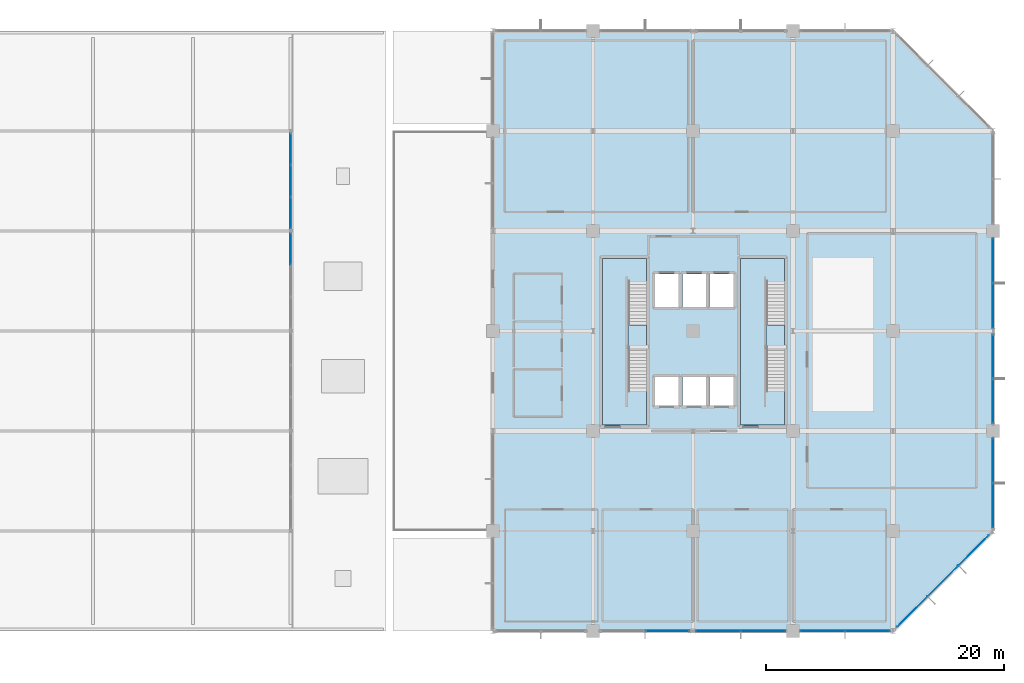
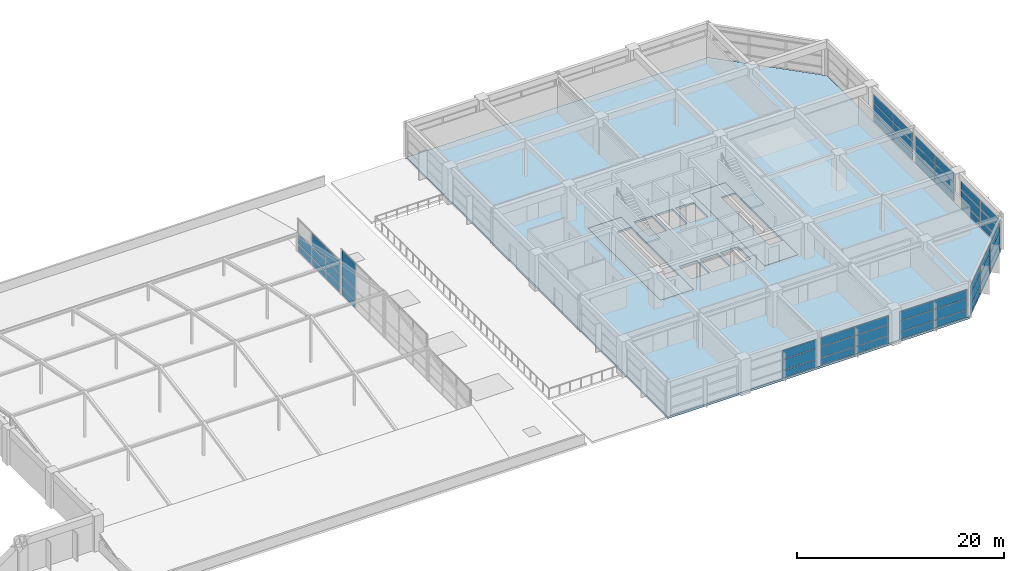
# One storey, part 28 of 34: 53 plates, 5 slabs, 11 elements without a shape of their own.
"""IFC4 building model written with IfcOpenShell, lengths in metres."""

import ifcopenshell
import ifcopenshell.guid

model = None  # the IFC model being written
_history = None  # IfcOwnerHistory: only IFC2X3 demands one
_inside = {}  # id of a spatial element -> (the spatial element, [elements in it])
_under = {}  # id of a project, library or spatial element -> (it, [spatial elements below it])
_declared = {}  # id of a project -> (the project, [libraries it declares])
_typed = {}  # id of a type object -> (the type object, [elements of that type])
_made_of = {}  # id of a material, layer set ... -> (it, [elements and type objects made of it])


def new_model(schema):
    """Start an empty IFC model of exactly this schema.

    Asked for "IFC4X3", IfcOpenShell would pick the latest addendum, in which some entities
    have other attributes; the version numbers below select the first issue.
    IFC2X3 requires an IfcOwnerHistory on every rooted entity: one is made here for all.
    """
    global model, _history
    if schema == "IFC4X3":
        model = ifcopenshell.file(schema_version=(4, 3, 0, 0))
    else:
        model = ifcopenshell.file(schema=schema)
    _inside.clear()
    _under.clear()
    _declared.clear()
    _typed.clear()
    _made_of.clear()
    _history = None
    if model.schema == "IFC2X3":
        org = make("IfcOrganization", Name="unknown")
        user = make(
            "IfcPersonAndOrganization",
            ThePerson=make("IfcPerson", FamilyName="unknown"),
            TheOrganization=org,
        )
        app = make(
            "IfcApplication",
            ApplicationDeveloper=org,
            Version="unknown",
            ApplicationFullName="unknown",
            ApplicationIdentifier="unknown",
        )
        _history = make(
            "IfcOwnerHistory",
            OwningUser=user,
            OwningApplication=app,
            ChangeAction="ADDED",
            CreationDate=0,
        )
    return model


def make(cls, **values):
    """One entity of the class cls with the attributes given. An attribute that is None is left unset."""
    return model.create_entity(
        cls, **{name: value for name, value in values.items() if value is not None}
    )


def rooted(cls, **values):
    """An entity with a GlobalId (a new one), such as an element, a storey or a relation."""
    return make(cls, GlobalId=ifcopenshell.guid.new(), OwnerHistory=_history, **values)


def si_unit(unit_type, name, prefix=None):
    """IfcSIUnit, for example si_unit("LENGTHUNIT", "METRE", prefix="MILLI")."""
    return make("IfcSIUnit", UnitType=unit_type, Prefix=prefix, Name=name)


def assignment(units):
    """IfcUnitAssignment: the units of a project."""
    return None if units is None else make("IfcUnitAssignment", Units=units)


def point(xyz):
    """IfcCartesianPoint."""
    return None if xyz is None else make("IfcCartesianPoint", Coordinates=xyz)


def direction(xyz):
    """IfcDirection."""
    return None if xyz is None else make("IfcDirection", DirectionRatios=xyz)


def frame(location, z_axis=None, x_axis=None):
    """IfcAxis2Placement3D, a coordinate frame: its origin and axes. An axis left out is left unset."""
    return make(
        "IfcAxis2Placement3D",
        Location=point(location),
        Axis=direction(z_axis),
        RefDirection=direction(x_axis),
    )


def frame_2d(location, x_axis=None):
    """IfcAxis2Placement2D, a coordinate frame in the plane: its origin and x axis."""
    return make(
        "IfcAxis2Placement2D", Location=point(location), RefDirection=direction(x_axis)
    )


def origin():
    """The frame at (0, 0, 0) with its axes left unset."""
    return frame((0.0, 0.0, 0.0))


def origin_2d():
    """The frame at (0, 0) in the plane with its x axis left unset."""
    return frame_2d((0.0, 0.0))


def place(relative_to, where):
    """IfcLocalPlacement: puts the frame where relative to a parent placement (None: the world)."""
    return make(
        "IfcLocalPlacement", PlacementRelTo=relative_to, RelativePlacement=where
    )


def context(
    kind, dimensions, precision=None, world=None, true_north=None, identifier=None
):
    """IfcGeometricRepresentationContext, for example the 3D "Model" context."""
    return make(
        "IfcGeometricRepresentationContext",
        ContextIdentifier=identifier,
        ContextType=kind,
        CoordinateSpaceDimension=dimensions,
        Precision=precision,
        WorldCoordinateSystem=world,
        TrueNorth=true_north,
    )


def subcontext(parent, identifier, kind, view, scale=None):
    """IfcGeometricRepresentationSubContext, for example "Body" below "Model"."""
    return make(
        "IfcGeometricRepresentationSubContext",
        ContextIdentifier=identifier,
        ContextType=kind,
        ParentContext=parent,
        TargetScale=scale,
        TargetView=view,
    )


def project(units=None, contexts=None):
    """IfcProject with its units and contexts."""
    return rooted(
        "IfcProject",
        Name="project",
        RepresentationContexts=contexts,
        UnitsInContext=assignment(units),
    )


def spatial(cls, under=None, at=None, **own):
    """A site, building, storey or space (cls), placed at a placement, below another one or the project."""
    s = rooted(cls, ObjectPlacement=at, **own)
    if under is not None:
        _under.setdefault(under.id(), (under, []))[1].append(s)
    return s


def polyline(points):
    """IfcPolyline through the points."""
    return make("IfcPolyline", Points=[point(p) for p in points])


def profile(cls, at=None, kind="AREA", **sizes):
    """A parametric profile (cls). Its sizes go by their IFC names, for example OverallWidth=200.0."""
    return make(cls, ProfileType=kind, Position=at, **sizes)


def rectangle(**sizes):
    """IfcRectangleProfileDef."""
    return profile("IfcRectangleProfileDef", **sizes)


def outline(outer, holes=None, kind="AREA"):
    """IfcArbitraryClosedProfileDef: a profile drawn as a closed curve; with holes, ...WithVoids."""
    if holes is None:
        return make("IfcArbitraryClosedProfileDef", ProfileType=kind, OuterCurve=outer)
    return make(
        "IfcArbitraryProfileDefWithVoids",
        ProfileType=kind,
        OuterCurve=outer,
        InnerCurves=holes,
    )


def extrude(swept, where, along, depth):
    """IfcExtrudedAreaSolid: the profile swept, set in the frame where, extruded along a direction by depth."""
    return make(
        "IfcExtrudedAreaSolid",
        SweptArea=swept,
        Position=where,
        ExtrudedDirection=direction(along),
        Depth=depth,
    )


def shape(context_of_items, identifier, shape_type, items):
    """IfcShapeRepresentation: the items that make up one representation, for example the "Body"."""
    return make(
        "IfcShapeRepresentation",
        ContextOfItems=context_of_items,
        RepresentationIdentifier=identifier,
        RepresentationType=shape_type,
        Items=items,
    )


def material(Name=None, Category=None):
    """IfcMaterial."""
    return make("IfcMaterial", Name=Name, Category=Category)


def layer(
    of_material, thickness, ventilated=None, Name=None, Category=None, Priority=None
):
    """IfcMaterialLayer: one layer of a wall or slab, of a material (None: an air gap)."""
    return make(
        "IfcMaterialLayer",
        Material=of_material,
        LayerThickness=thickness,
        IsVentilated=ventilated,
        Name=Name,
        Category=Category,
        Priority=Priority,
    )


def layer_set(layers, Name=None):
    """IfcMaterialLayerSet."""
    return make("IfcMaterialLayerSet", MaterialLayers=layers, LayerSetName=Name)


def made_of(thing, what):
    """Note that an element or type object is made of a material, layer set ...; save() writes the relation."""
    if what is not None:
        _made_of.setdefault(what.id(), (what, []))[1].append(thing)
    return thing


def type_object(cls, material=None, **own):
    """A type object (cls), such as IfcWallType, which elements share."""
    return made_of(rooted(cls, **own), material)


def element(
    cls,
    number,
    at=None,
    inside=None,
    cuts=None,
    type_object=None,
    material=None,
    context=None,
    identifier="Body",
    shape_type=None,
    held_by="IfcProductDefinitionShape",
    body=None,
    shapes=None,
    **own,
):
    """One element of the class cls, such as IfcWall. Its Tag is "e" and its number.

    at: its placement. inside: the storey or other place that contains it. cuts: it is an
    opening in that element (IfcRelVoidsElement). A single representation is given by context,
    identifier, shape_type and body (its items); several are given by shapes. held_by: the class
    of the entity that holds the representations. save() writes the other relations.
    """
    e = rooted(cls, Tag="e%d" % number, ObjectPlacement=at, **own)
    if body is not None:
        shapes = [shape(context, identifier, shape_type, body)]
    if shapes is not None:
        e.Representation = make(held_by, Representations=shapes)
    if inside is not None:
        _inside.setdefault(inside.id(), (inside, []))[1].append(e)
    if cuts is not None:
        rooted(
            "IfcRelVoidsElement", RelatingBuildingElement=cuts, RelatedOpeningElement=e
        )
    if type_object is not None:
        _typed.setdefault(type_object.id(), (type_object, []))[1].append(e)
    return made_of(e, material)


def aggregate(whole, parts):
    """IfcRelAggregates: a whole, such as a stair, and the parts it consists of."""
    return rooted("IfcRelAggregates", RelatingObject=whole, RelatedObjects=parts)


def save(model, path):
    """Write the relations noted so far, then the file.

    IfcRelAggregates (storeys below a building ...), IfcRelContainedInSpatialStructure (elements
    in a storey), IfcRelDefinesByType, IfcRelAssociatesMaterial and IfcRelDeclares: one each for
    every whole, place, type object, material and project.
    """
    for whole, parts in _under.values():
        aggregate(whole, parts)
    for where, things in _inside.values():
        rooted(
            "IfcRelContainedInSpatialStructure",
            RelatedElements=things,
            RelatingStructure=where,
        )
    for kind, things in _typed.values():
        rooted("IfcRelDefinesByType", RelatedObjects=things, RelatingType=kind)
    for what, things in _made_of.values():
        rooted("IfcRelAssociatesMaterial", RelatedObjects=things, RelatingMaterial=what)
    for by, libraries in _declared.values():
        rooted("IfcRelDeclares", RelatingContext=by, RelatedDefinitions=libraries)
    model.write(path)


model = new_model("IFC4")

# Units and contexts
model_context = context("Model", 3, precision=1e-05, world=origin(), true_north=direction((0.0, 1.0)))
body_context = subcontext(model_context, "Body", "Model", "MODEL_VIEW")
ifc_project = project(units=[si_unit("LENGTHUNIT", "METRE"), si_unit("AREAUNIT", "SQUARE_METRE"), si_unit("VOLUMEUNIT", "CUBIC_METRE"), si_unit("PLANEANGLEUNIT", "RADIAN"), si_unit("MASSUNIT", "GRAM", prefix="KILO")], contexts=[model_context])

# Site, building, storey
site_placement = place(None, origin())
site = spatial("IfcSite", under=ifc_project, at=site_placement, CompositionType="ELEMENT")
building_placement = place(site_placement, origin())
building = spatial("IfcBuilding", under=site, at=building_placement, Name="Xuanlan Plaza Opera House", CompositionType="ELEMENT")
storey_placement = place(building_placement, frame((0.0, 0.0, 27.89990234375)))
storey = spatial("IfcBuildingStorey", under=building, at=storey_placement, Name="L06", CompositionType="ELEMENT", Elevation=27.89990234375)

# Curtain wall, plates
ifc_material_1 = material(Name="Anodised Aluminium 6063-T6 and Low-E Glass", Category="aluminium")
curtain_wall_type_1 = type_object("IfcCurtainWallType", Name="ENV-CW-CW-02", PredefinedType="USERDEFINED", material=ifc_material_1)
curtain_wall_1_placement = place(storey_placement, origin())
curtain_wall_1 = element("IfcCurtainWall", 1, at=curtain_wall_1_placement, inside=storey, type_object=curtain_wall_type_1, Name="Unitised Curtain Wall L06-006", ObjectType="UNITISED CURTAIN WALL", PredefinedType="USERDEFINED")
ifc_material_2 = material(Name="Laminated Acoustic Double Glazing", Category="glass")
ifc_layer_1 = layer(ifc_material_2, 0.028076171875)
ifc_layer_set_1 = layer_set([ifc_layer_1], Name="Laminated Acoustic Double Glazing")
plate_type_1 = type_object("IfcPlateType", Name="ENV-CWP-01", PredefinedType="CURTAIN_PANEL", material=ifc_layer_set_1)
plate_1_placement = place(storey_placement, frame((168.0, 44.142578125, 0.090087890625), z_axis=(0.0, 0.0, 1.0), x_axis=(0.0, 1.0, 0.0)))
plate_1 = element("IfcPlate", 2, at=plate_1_placement, type_object=plate_type_1, Name="CW-02 panel 1.1", PredefinedType="CURTAIN_PANEL", context=body_context, shape_type="SweptSolid", body=[
    extrude(rectangle(XDim=3.68505859375, YDim=0.028076171875, at=origin_2d()), origin(), (0.0, 0.0, 1.0), 0.81494140625),
])
plate_2_placement = place(storey_placement, frame((168.0, 44.142578125, 0.9951171875), z_axis=(0.0, 0.0, 1.0), x_axis=(0.0, 1.0, 0.0)))
plate_2 = element("IfcPlate", 3, at=plate_2_placement, type_object=plate_type_1, Name="CW-02 panel 1.2", PredefinedType="CURTAIN_PANEL", context=body_context, shape_type="SweptSolid", body=[
    extrude(rectangle(XDim=3.68505859375, YDim=0.028076171875, at=origin_2d()), origin(), (0.0, 0.0, 1.0), 1.2099609375),
])
plate_3_placement = place(storey_placement, frame((168.0, 44.142578125, 2.294921875), z_axis=(0.0, 0.0, 1.0), x_axis=(0.0, 1.0, 0.0)))
plate_3 = element("IfcPlate", 4, at=plate_3_placement, type_object=plate_type_1, Name="CW-02 panel 1.3", PredefinedType="CURTAIN_PANEL", context=body_context, shape_type="SweptSolid", body=[
    extrude(rectangle(XDim=3.68505859375, YDim=0.028076171875, at=origin_2d()), origin(), (0.0, 0.0, 1.0), 0.9951171875),
])
plate_4_placement = place(storey_placement, frame((168.0, 47.907470703125, 0.090087890625), z_axis=(0.0, 0.0, 1.0), x_axis=(0.0, 1.0, 0.0)))
plate_4 = element("IfcPlate", 5, at=plate_4_placement, type_object=plate_type_1, Name="CW-02 panel 2.1", PredefinedType="CURTAIN_PANEL", context=body_context, shape_type="SweptSolid", body=[
    extrude(rectangle(XDim=3.68505859375, YDim=0.028076171875, at=origin_2d()), origin(), (0.0, 0.0, 1.0), 0.81494140625),
])
plate_5_placement = place(storey_placement, frame((168.0, 47.907470703125, 0.9951171875), z_axis=(0.0, 0.0, 1.0), x_axis=(0.0, 1.0, 0.0)))
plate_5 = element("IfcPlate", 6, at=plate_5_placement, type_object=plate_type_1, Name="CW-02 panel 2.2", PredefinedType="CURTAIN_PANEL", context=body_context, shape_type="SweptSolid", body=[
    extrude(rectangle(XDim=3.68505859375, YDim=0.028076171875, at=origin_2d()), origin(), (0.0, 0.0, 1.0), 1.2099609375),
])
plate_6_placement = place(storey_placement, frame((168.0, 47.907470703125, 2.294921875), z_axis=(0.0, 0.0, 1.0), x_axis=(0.0, 1.0, 0.0)))
plate_6 = element("IfcPlate", 7, at=plate_6_placement, type_object=plate_type_1, Name="CW-02 panel 2.3", PredefinedType="CURTAIN_PANEL", context=body_context, shape_type="SweptSolid", body=[
    extrude(rectangle(XDim=3.68505859375, YDim=0.028076171875, at=origin_2d()), origin(), (0.0, 0.0, 1.0), 0.9951171875),
])
aggregate(curtain_wall_1, [plate_1, plate_2, plate_3, plate_4, plate_5, plate_6])

curtain_wall_type_2 = type_object("IfcCurtainWallType", Name="ENV-CW-CW-03", PredefinedType="USERDEFINED", material=ifc_material_1)
curtain_wall_2_placement = place(storey_placement, origin())
curtain_wall_2 = element("IfcCurtainWall", 8, at=curtain_wall_2_placement, inside=storey, type_object=curtain_wall_type_2, Name="Unitised Curtain Wall L06-003", ObjectType="UNITISED CURTAIN WALL", PredefinedType="USERDEFINED")
ifc_layer_2 = layer(ifc_material_2, 0.031982421875)
ifc_layer_set_2 = layer_set([ifc_layer_2], Name="Laminated Acoustic Double Glazing")
plate_type_2 = type_object("IfcPlateType", Name="ENV-CWP-02", PredefinedType="CURTAIN_PANEL", material=ifc_layer_set_2)
plate_7_placement = place(storey_placement, frame((144.938720703125, 33.60009765625, 0.080078125), z_axis=(0.0, 0.0, 1.0), x_axis=(1.0, 0.0, 0.0)))
plate_7 = element("IfcPlate", 9, at=plate_7_placement, type_object=plate_type_2, Name="CW-03 panel 1.1", PredefinedType="CURTAIN_PANEL", context=body_context, shape_type="SweptSolid", body=[
    extrude(rectangle(XDim=3.70751953125, YDim=0.031982421875, at=origin_2d()), origin(), (0.0, 0.0, 1.0), 0.830078125),
])
plate_8_placement = place(storey_placement, frame((144.938720703125, 33.60009765625, 0.990234375), z_axis=(0.0, 0.0, 1.0), x_axis=(1.0, 0.0, 0.0)))
plate_8 = element("IfcPlate", 10, at=plate_8_placement, type_object=plate_type_2, Name="CW-03 panel 1.2", PredefinedType="CURTAIN_PANEL", context=body_context, shape_type="SweptSolid", body=[
    extrude(rectangle(XDim=3.70751953125, YDim=0.031982421875, at=origin_2d()), origin(), (0.0, 0.0, 1.0), 1.219970703125),
])
plate_9_placement = place(storey_placement, frame((144.938720703125, 33.60009765625, 2.2900390625), z_axis=(0.0, 0.0, 1.0), x_axis=(1.0, 0.0, 0.0)))
plate_9 = element("IfcPlate", 11, at=plate_9_placement, type_object=plate_type_2, Name="CW-03 panel 1.3", PredefinedType="CURTAIN_PANEL", context=body_context, shape_type="SweptSolid", body=[
    extrude(rectangle(XDim=3.70751953125, YDim=0.031982421875, at=origin_2d()), origin(), (0.0, 0.0, 1.0), 1.010009765625),
])
plate_10_placement = place(storey_placement, frame((148.711181640625, 33.60009765625, 0.080078125), z_axis=(0.0, 0.0, 1.0), x_axis=(1.0, 0.0, 0.0)))
plate_10 = element("IfcPlate", 12, at=plate_10_placement, type_object=plate_type_2, Name="CW-03 panel 2.1", PredefinedType="CURTAIN_PANEL", context=body_context, shape_type="SweptSolid", body=[
    extrude(rectangle(XDim=3.70751953125, YDim=0.031982421875, at=origin_2d()), origin(), (0.0, 0.0, 1.0), 0.830078125),
])
plate_11_placement = place(storey_placement, frame((148.711181640625, 33.60009765625, 0.990234375), z_axis=(0.0, 0.0, 1.0), x_axis=(1.0, 0.0, 0.0)))
plate_11 = element("IfcPlate", 13, at=plate_11_placement, type_object=plate_type_2, Name="CW-03 panel 2.2", PredefinedType="CURTAIN_PANEL", context=body_context, shape_type="SweptSolid", body=[
    extrude(rectangle(XDim=3.70751953125, YDim=0.031982421875, at=origin_2d()), origin(), (0.0, 0.0, 1.0), 1.219970703125),
])
plate_12_placement = place(storey_placement, frame((148.711181640625, 33.60009765625, 2.2900390625), z_axis=(0.0, 0.0, 1.0), x_axis=(1.0, 0.0, 0.0)))
plate_12 = element("IfcPlate", 14, at=plate_12_placement, type_object=plate_type_2, Name="CW-03 panel 2.3", PredefinedType="CURTAIN_PANEL", context=body_context, shape_type="SweptSolid", body=[
    extrude(rectangle(XDim=3.70751953125, YDim=0.031982421875, at=origin_2d()), origin(), (0.0, 0.0, 1.0), 1.010009765625),
])
aggregate(curtain_wall_2, [plate_7, plate_8, plate_9, plate_10, plate_11, plate_12])

curtain_wall_type_3 = type_object("IfcCurtainWallType", Name="ENV-CW-CW-04", PredefinedType="USERDEFINED", material=ifc_material_1)
curtain_wall_3_placement = place(storey_placement, origin())
curtain_wall_3 = element("IfcCurtainWall", 15, at=curtain_wall_3_placement, inside=storey, type_object=curtain_wall_type_3, Name="Unitised Curtain Wall L06-008", ObjectType="UNITISED CURTAIN WALL", PredefinedType="USERDEFINED")
plate_13_placement = place(storey_placement, frame((168.0, 60.938720703125, 0.080078125), z_axis=(0.0, 0.0, 1.0), x_axis=(0.0, 1.0, 0.0)))
plate_13 = element("IfcPlate", 16, at=plate_13_placement, type_object=plate_type_2, Name="CW-04 panel 1.1", PredefinedType="CURTAIN_PANEL", context=body_context, shape_type="SweptSolid", body=[
    extrude(rectangle(XDim=3.70751953125, YDim=0.031982421875, at=origin_2d()), origin(), (0.0, 0.0, 1.0), 0.830078125),
])
plate_14_placement = place(storey_placement, frame((168.0, 60.938720703125, 0.990234375), z_axis=(0.0, 0.0, 1.0), x_axis=(0.0, 1.0, 0.0)))
plate_14 = element("IfcPlate", 17, at=plate_14_placement, type_object=plate_type_2, Name="CW-04 panel 1.2", PredefinedType="CURTAIN_PANEL", context=body_context, shape_type="SweptSolid", body=[
    extrude(rectangle(XDim=3.70751953125, YDim=0.031982421875, at=origin_2d()), origin(), (0.0, 0.0, 1.0), 1.219970703125),
])
plate_15_placement = place(storey_placement, frame((168.0, 60.938720703125, 2.2900390625), z_axis=(0.0, 0.0, 1.0), x_axis=(0.0, 1.0, 0.0)))
plate_15 = element("IfcPlate", 18, at=plate_15_placement, type_object=plate_type_2, Name="CW-04 panel 1.3", PredefinedType="CURTAIN_PANEL", context=body_context, shape_type="SweptSolid", body=[
    extrude(rectangle(XDim=3.70751953125, YDim=0.031982421875, at=origin_2d()), origin(), (0.0, 0.0, 1.0), 1.010009765625),
])
plate_16_placement = place(storey_placement, frame((168.0, 64.711181640625, 0.080078125), z_axis=(0.0, 0.0, 1.0), x_axis=(0.0, 1.0, 0.0)))
plate_16 = element("IfcPlate", 19, at=plate_16_placement, type_object=plate_type_2, Name="CW-04 panel 2.1", PredefinedType="CURTAIN_PANEL", context=body_context, shape_type="SweptSolid", body=[
    extrude(rectangle(XDim=3.70751953125, YDim=0.031982421875, at=origin_2d()), origin(), (0.0, 0.0, 1.0), 0.830078125),
])
plate_17_placement = place(storey_placement, frame((168.0, 64.711181640625, 0.990234375), z_axis=(0.0, 0.0, 1.0), x_axis=(0.0, 1.0, 0.0)))
plate_17 = element("IfcPlate", 20, at=plate_17_placement, type_object=plate_type_2, Name="CW-04 panel 2.2", PredefinedType="CURTAIN_PANEL", context=body_context, shape_type="SweptSolid", body=[
    extrude(rectangle(XDim=3.70751953125, YDim=0.031982421875, at=origin_2d()), origin(), (0.0, 0.0, 1.0), 1.219970703125),
])
plate_18_placement = place(storey_placement, frame((168.0, 64.711181640625, 2.2900390625), z_axis=(0.0, 0.0, 1.0), x_axis=(0.0, 1.0, 0.0)))
plate_18 = element("IfcPlate", 21, at=plate_18_placement, type_object=plate_type_2, Name="CW-04 panel 2.3", PredefinedType="CURTAIN_PANEL", context=body_context, shape_type="SweptSolid", body=[
    extrude(rectangle(XDim=3.70751953125, YDim=0.031982421875, at=origin_2d()), origin(), (0.0, 0.0, 1.0), 1.010009765625),
])
aggregate(curtain_wall_3, [plate_13, plate_14, plate_15, plate_16, plate_17, plate_18])

curtain_wall_type_4 = type_object("IfcCurtainWallType", Name="ENV-CW-CW-01", PredefinedType="USERDEFINED", material=ifc_material_1)
curtain_wall_4_placement = place(storey_placement, origin())
curtain_wall_4 = element("IfcCurtainWall", 22, at=curtain_wall_4_placement, inside=storey, type_object=curtain_wall_type_4, Name="Unitised Curtain Wall L06-005", ObjectType="UNITISED CURTAIN WALL", PredefinedType="USERDEFINED")
ifc_layer_3 = layer(ifc_material_2, 0.035888671875)
ifc_layer_set_3 = layer_set([ifc_layer_3], Name="Laminated Acoustic Double Glazing")
plate_type_3 = type_object("IfcPlateType", Name="ENV-CWP-03", PredefinedType="CURTAIN_PANEL", material=ifc_layer_set_3)
plate_19_placement = place(storey_placement, frame((161.212646484375, 35.212646484375, 0.0751953125), z_axis=(0.0, 0.0, 1.0), x_axis=(0.707106781187, 0.707106781187, 0.0)))
plate_19 = element("IfcPlate", 23, at=plate_19_placement, type_object=plate_type_3, Name="CW-01 panel 1.1", PredefinedType="CURTAIN_PANEL", context=body_context, shape_type="SweptSolid", body=[
    extrude(rectangle(XDim=3.5654296875, YDim=0.035888671875, at=origin_2d()), origin(), (0.0, 0.0, 1.0), 0.83740234375),
])
plate_20_placement = place(storey_placement, frame((161.212646484375, 35.212646484375, 0.987548828125), z_axis=(0.0, 0.0, 1.0), x_axis=(0.707106781187, 0.707106781187, 0.0)))
plate_20 = element("IfcPlate", 24, at=plate_20_placement, type_object=plate_type_3, Name="CW-01 panel 1.2", PredefinedType="CURTAIN_PANEL", context=body_context, shape_type="SweptSolid", body=[
    extrude(rectangle(XDim=3.5654296875, YDim=0.035888671875, at=origin_2d()), origin(), (0.0, 0.0, 1.0), 1.22509765625),
])
plate_21_placement = place(storey_placement, frame((161.212646484375, 35.212646484375, 2.28759765625), z_axis=(0.0, 0.0, 1.0), x_axis=(0.707106781187, 0.707106781187, 0.0)))
plate_21 = element("IfcPlate", 25, at=plate_21_placement, type_object=plate_type_3, Name="CW-01 panel 1.3", PredefinedType="CURTAIN_PANEL", context=body_context, shape_type="SweptSolid", body=[
    extrude(rectangle(XDim=3.5654296875, YDim=0.035888671875, at=origin_2d()), origin(), (0.0, 0.0, 1.0), 1.017578125),
])
plate_22_placement = place(storey_placement, frame((163.800048828125, 37.800048828125, 0.0751953125), z_axis=(0.0, 0.0, 1.0), x_axis=(0.707106781187, 0.707106781187, 0.0)))
plate_22 = element("IfcPlate", 26, at=plate_22_placement, type_object=plate_type_3, Name="CW-01 panel 2.1", PredefinedType="CURTAIN_PANEL", context=body_context, shape_type="SweptSolid", body=[
    extrude(rectangle(XDim=3.602783203125, YDim=0.035888671875, at=origin_2d()), origin(), (0.0, 0.0, 1.0), 0.83740234375),
])
plate_23_placement = place(storey_placement, frame((163.800048828125, 37.800048828125, 0.987548828125), z_axis=(0.0, 0.0, 1.0), x_axis=(0.707106781187, 0.707106781187, 0.0)))
plate_23 = element("IfcPlate", 27, at=plate_23_placement, type_object=plate_type_3, Name="CW-01 panel 2.2", PredefinedType="CURTAIN_PANEL", context=body_context, shape_type="SweptSolid", body=[
    extrude(rectangle(XDim=3.602783203125, YDim=0.035888671875, at=origin_2d()), origin(), (0.0, 0.0, 1.0), 1.22509765625),
])
plate_24_placement = place(storey_placement, frame((163.800048828125, 37.800048828125, 2.28759765625), z_axis=(0.0, 0.0, 1.0), x_axis=(0.707106781187, 0.707106781187, 0.0)))
plate_24 = element("IfcPlate", 28, at=plate_24_placement, type_object=plate_type_3, Name="CW-01 panel 2.3", PredefinedType="CURTAIN_PANEL", context=body_context, shape_type="SweptSolid", body=[
    extrude(rectangle(XDim=3.602783203125, YDim=0.035888671875, at=origin_2d()), origin(), (0.0, 0.0, 1.0), 1.017578125),
])
plate_25_placement = place(storey_placement, frame((166.387451171875, 40.387451171875, 0.0751953125), z_axis=(0.0, 0.0, 1.0), x_axis=(0.707106781187, 0.707106781187, 0.0)))
plate_25 = element("IfcPlate", 29, at=plate_25_placement, type_object=plate_type_3, Name="CW-01 panel 3.1", PredefinedType="CURTAIN_PANEL", context=body_context, shape_type="SweptSolid", body=[
    extrude(rectangle(XDim=3.5654296875, YDim=0.035888671875, at=origin_2d()), origin(), (0.0, 0.0, 1.0), 0.83740234375),
])
plate_26_placement = place(storey_placement, frame((166.387451171875, 40.387451171875, 0.987548828125), z_axis=(0.0, 0.0, 1.0), x_axis=(0.707106781187, 0.707106781187, 0.0)))
plate_26 = element("IfcPlate", 30, at=plate_26_placement, type_object=plate_type_3, Name="CW-01 panel 3.2", PredefinedType="CURTAIN_PANEL", context=body_context, shape_type="SweptSolid", body=[
    extrude(rectangle(XDim=3.5654296875, YDim=0.035888671875, at=origin_2d()), origin(), (0.0, 0.0, 1.0), 1.22509765625),
])
plate_27_placement = place(storey_placement, frame((166.387451171875, 40.387451171875, 2.28759765625), z_axis=(0.0, 0.0, 1.0), x_axis=(0.707106781187, 0.707106781187, 0.0)))
plate_27 = element("IfcPlate", 31, at=plate_27_placement, type_object=plate_type_3, Name="CW-01 panel 3.3", PredefinedType="CURTAIN_PANEL", context=body_context, shape_type="SweptSolid", body=[
    extrude(rectangle(XDim=3.5654296875, YDim=0.035888671875, at=origin_2d()), origin(), (0.0, 0.0, 1.0), 1.017578125),
])
aggregate(curtain_wall_4, [plate_19, plate_20, plate_21, plate_22, plate_23, plate_24, plate_25, plate_26, plate_27])

curtain_wall_type_5 = type_object("IfcCurtainWallType", Name="ENV-CW-CW-06", PredefinedType="USERDEFINED", material=ifc_material_1)
curtain_wall_5_placement = place(storey_placement, origin())
curtain_wall_5 = element("IfcCurtainWall", 32, at=curtain_wall_5_placement, inside=storey, type_object=curtain_wall_type_5, Name="Acoustic Glazed Wall SHL-L06-03", ObjectType="ACOUSTIC GLAZED WALL", PredefinedType="USERDEFINED")
plate_28_placement = place(storey_placement, frame((109.0, 65.68115234375, 0.0751953125), z_axis=(0.0, 0.0, 1.0), x_axis=(0.0, 1.0, 0.0)))
plate_28 = element("IfcPlate", 33, at=plate_28_placement, type_object=plate_type_3, Name="CW-06 panel 3.1", PredefinedType="CURTAIN_PANEL", context=body_context, shape_type="SweptSolid", body=[
    extrude(rectangle(XDim=2.58740234375, YDim=0.035888671875, at=origin_2d()), origin(), (0.0, 0.0, 1.0), 0.83740234375),
])
plate_29_placement = place(storey_placement, frame((109.0, 65.68115234375, 0.987548828125), z_axis=(0.0, 0.0, 1.0), x_axis=(0.0, 1.0, 0.0)))
plate_29 = element("IfcPlate", 34, at=plate_29_placement, type_object=plate_type_3, Name="CW-06 panel 3.2", PredefinedType="CURTAIN_PANEL", context=body_context, shape_type="SweptSolid", body=[
    extrude(rectangle(XDim=2.58740234375, YDim=0.035888671875, at=origin_2d()), origin(), (0.0, 0.0, 1.0), 1.22509765625),
])
plate_30_placement = place(storey_placement, frame((109.0, 65.68115234375, 2.28759765625), z_axis=(0.0, 0.0, 1.0), x_axis=(0.0, 1.0, 0.0)))
plate_30 = element("IfcPlate", 35, at=plate_30_placement, type_object=plate_type_3, Name="CW-06 panel 3.3", PredefinedType="CURTAIN_PANEL", context=body_context, shape_type="SweptSolid", body=[
    extrude(rectangle(XDim=2.58740234375, YDim=0.035888671875, at=origin_2d()), origin(), (0.0, 0.0, 1.0), 3.03759765625),
])
aggregate(curtain_wall_5, [plate_28, plate_29, plate_30])

curtain_wall_6_placement = place(storey_placement, origin())
curtain_wall_6 = element("IfcCurtainWall", 36, at=curtain_wall_6_placement, inside=storey, type_object=curtain_wall_type_5, Name="Acoustic Glazed Wall SHL-L06-04", ObjectType="ACOUSTIC GLAZED WALL", PredefinedType="USERDEFINED")
plate_31_placement = place(storey_placement, frame((109.0, 68.71875, 0.0751953125), z_axis=(0.0, 0.0, 1.0), x_axis=(0.0, 1.0, 0.0)))
plate_31 = element("IfcPlate", 37, at=plate_31_placement, type_object=plate_type_3, Name="CW-06 panel 1.1", PredefinedType="CURTAIN_PANEL", context=body_context, shape_type="SweptSolid", body=[
    extrude(rectangle(XDim=2.58740234375, YDim=0.035888671875, at=origin_2d()), origin(), (0.0, 0.0, 1.0), 0.83740234375),
])
plate_32_placement = place(storey_placement, frame((109.0, 68.71875, 0.987548828125), z_axis=(0.0, 0.0, 1.0), x_axis=(0.0, 1.0, 0.0)))
plate_32 = element("IfcPlate", 38, at=plate_32_placement, type_object=plate_type_3, Name="CW-06 panel 1.2", PredefinedType="CURTAIN_PANEL", context=body_context, shape_type="SweptSolid", body=[
    extrude(rectangle(XDim=2.58740234375, YDim=0.035888671875, at=origin_2d()), origin(), (0.0, 0.0, 1.0), 1.22509765625),
])
plate_33_placement = place(storey_placement, frame((109.0, 68.71875, 2.28759765625), z_axis=(0.0, 0.0, 1.0), x_axis=(0.0, 1.0, 0.0)))
plate_33 = element("IfcPlate", 39, at=plate_33_placement, type_object=plate_type_3, Name="CW-06 panel 1.3", PredefinedType="CURTAIN_PANEL", context=body_context, shape_type="SweptSolid", body=[
    extrude(rectangle(XDim=2.58740234375, YDim=0.035888671875, at=origin_2d()), origin(), (0.0, 0.0, 1.0), 1.53759765625),
])
plate_34_placement = place(storey_placement, frame((109.0, 71.39990234375, 0.0751953125), z_axis=(0.0, 0.0, 1.0), x_axis=(0.0, 1.0, 0.0)))
plate_34 = element("IfcPlate", 40, at=plate_34_placement, type_object=plate_type_3, Name="CW-06 panel 2.1", PredefinedType="CURTAIN_PANEL", context=body_context, shape_type="SweptSolid", body=[
    extrude(rectangle(XDim=2.625, YDim=0.035888671875, at=origin_2d()), origin(), (0.0, 0.0, 1.0), 0.83740234375),
])
plate_35_placement = place(storey_placement, frame((109.0, 71.39990234375, 0.987548828125), z_axis=(0.0, 0.0, 1.0), x_axis=(0.0, 1.0, 0.0)))
plate_35 = element("IfcPlate", 41, at=plate_35_placement, type_object=plate_type_3, Name="CW-06 panel 2.2", PredefinedType="CURTAIN_PANEL", context=body_context, shape_type="SweptSolid", body=[
    extrude(rectangle(XDim=2.625, YDim=0.035888671875, at=origin_2d()), origin(), (0.0, 0.0, 1.0), 1.22509765625),
])
plate_36_placement = place(storey_placement, frame((109.0, 71.39990234375, 2.28759765625), z_axis=(0.0, 0.0, 1.0), x_axis=(0.0, 1.0, 0.0)))
plate_36 = element("IfcPlate", 42, at=plate_36_placement, type_object=plate_type_3, Name="CW-06 panel 2.3", PredefinedType="CURTAIN_PANEL", context=body_context, shape_type="SweptSolid", body=[
    extrude(rectangle(XDim=2.625, YDim=0.035888671875, at=origin_2d()), origin(), (0.0, 0.0, 1.0), 1.53759765625),
])
plate_37_placement = place(storey_placement, frame((109.0, 74.081298828125, 0.0751953125), z_axis=(0.0, 0.0, 1.0), x_axis=(0.0, 1.0, 0.0)))
plate_37 = element("IfcPlate", 43, at=plate_37_placement, type_object=plate_type_3, Name="CW-06 panel 3.1", PredefinedType="CURTAIN_PANEL", context=body_context, shape_type="SweptSolid", body=[
    extrude(rectangle(XDim=2.58740234375, YDim=0.035888671875, at=origin_2d()), origin(), (0.0, 0.0, 1.0), 0.83740234375),
])
plate_38_placement = place(storey_placement, frame((109.0, 74.081298828125, 0.987548828125), z_axis=(0.0, 0.0, 1.0), x_axis=(0.0, 1.0, 0.0)))
plate_38 = element("IfcPlate", 44, at=plate_38_placement, type_object=plate_type_3, Name="CW-06 panel 3.2", PredefinedType="CURTAIN_PANEL", context=body_context, shape_type="SweptSolid", body=[
    extrude(rectangle(XDim=2.58740234375, YDim=0.035888671875, at=origin_2d()), origin(), (0.0, 0.0, 1.0), 1.22509765625),
])
aggregate(curtain_wall_6, [plate_31, plate_32, plate_33, plate_34, plate_35, plate_36, plate_37, plate_38])

curtain_wall_7_placement = place(storey_placement, origin())
curtain_wall_7 = element("IfcCurtainWall", 45, at=curtain_wall_7_placement, inside=storey, type_object=curtain_wall_type_1, Name="Unitised Curtain Wall L06-002", ObjectType="UNITISED CURTAIN WALL", PredefinedType="USERDEFINED")
ifc_layer_4 = layer(ifc_material_2, 0.0400390625)
ifc_layer_set_4 = layer_set([ifc_layer_4], Name="Laminated Acoustic Double Glazing")
plate_type_4 = type_object("IfcPlateType", Name="ENV-CWP-04", PredefinedType="CURTAIN_PANEL", material=ifc_layer_set_4)
plate_39_placement = place(storey_placement, frame((140.655029296875, 33.60009765625, 0.0703125), z_axis=(0.0, 0.0, 1.0), x_axis=(1.0, 0.0, 0.0)))
plate_39 = element("IfcPlate", 46, at=plate_39_placement, type_object=plate_type_4, Name="CW-02 panel 2.1", PredefinedType="CURTAIN_PANEL", context=body_context, shape_type="SweptSolid", body=[
    extrude(rectangle(XDim=3.669921875, YDim=0.0400390625, at=origin_2d()), origin(), (0.0, 0.0, 1.0), 0.844970703125),
])
plate_40_placement = place(storey_placement, frame((140.655029296875, 33.60009765625, 0.985107421875), z_axis=(0.0, 0.0, 1.0), x_axis=(1.0, 0.0, 0.0)))
plate_40 = element("IfcPlate", 47, at=plate_40_placement, type_object=plate_type_4, Name="CW-02 panel 2.2", PredefinedType="CURTAIN_PANEL", context=body_context, shape_type="SweptSolid", body=[
    extrude(rectangle(XDim=3.669921875, YDim=0.0400390625, at=origin_2d()), origin(), (0.0, 0.0, 1.0), 1.22998046875),
])
plate_41_placement = place(storey_placement, frame((140.655029296875, 33.60009765625, 2.28515625), z_axis=(0.0, 0.0, 1.0), x_axis=(1.0, 0.0, 0.0)))
plate_41 = element("IfcPlate", 48, at=plate_41_placement, type_object=plate_type_4, Name="CW-02 panel 2.3", PredefinedType="CURTAIN_PANEL", context=body_context, shape_type="SweptSolid", body=[
    extrude(rectangle(XDim=3.669921875, YDim=0.0400390625, at=origin_2d()), origin(), (0.0, 0.0, 1.0), 1.02490234375),
])
aggregate(curtain_wall_7, [plate_39, plate_40, plate_41])

curtain_wall_8_placement = place(storey_placement, origin())
curtain_wall_8 = element("IfcCurtainWall", 49, at=curtain_wall_8_placement, inside=storey, type_object=curtain_wall_type_2, Name="Unitised Curtain Wall L06-007", ObjectType="UNITISED CURTAIN WALL", PredefinedType="USERDEFINED")
plate_42_placement = place(storey_placement, frame((168.0, 52.89501953125, 0.0703125), z_axis=(0.0, 0.0, 1.0), x_axis=(0.0, 1.0, 0.0)))
plate_42 = element("IfcPlate", 50, at=plate_42_placement, type_object=plate_type_4, Name="CW-03 panel 1.1", PredefinedType="CURTAIN_PANEL", context=body_context, shape_type="SweptSolid", body=[
    extrude(rectangle(XDim=3.669921875, YDim=0.0400390625, at=origin_2d()), origin(), (0.0, 0.0, 1.0), 0.844970703125),
])
plate_43_placement = place(storey_placement, frame((168.0, 52.89501953125, 0.985107421875), z_axis=(0.0, 0.0, 1.0), x_axis=(0.0, 1.0, 0.0)))
plate_43 = element("IfcPlate", 51, at=plate_43_placement, type_object=plate_type_4, Name="CW-03 panel 1.2", PredefinedType="CURTAIN_PANEL", context=body_context, shape_type="SweptSolid", body=[
    extrude(rectangle(XDim=3.669921875, YDim=0.0400390625, at=origin_2d()), origin(), (0.0, 0.0, 1.0), 1.22998046875),
])
plate_44_placement = place(storey_placement, frame((168.0, 52.89501953125, 2.28515625), z_axis=(0.0, 0.0, 1.0), x_axis=(0.0, 1.0, 0.0)))
plate_44 = element("IfcPlate", 52, at=plate_44_placement, type_object=plate_type_4, Name="CW-03 panel 1.3", PredefinedType="CURTAIN_PANEL", context=body_context, shape_type="SweptSolid", body=[
    extrude(rectangle(XDim=3.669921875, YDim=0.0400390625, at=origin_2d()), origin(), (0.0, 0.0, 1.0), 1.02490234375),
])
plate_45_placement = place(storey_placement, frame((168.0, 56.655029296875, 0.0703125), z_axis=(0.0, 0.0, 1.0), x_axis=(0.0, 1.0, 0.0)))
plate_45 = element("IfcPlate", 53, at=plate_45_placement, type_object=plate_type_4, Name="CW-03 panel 2.1", PredefinedType="CURTAIN_PANEL", context=body_context, shape_type="SweptSolid", body=[
    extrude(rectangle(XDim=3.669921875, YDim=0.0400390625, at=origin_2d()), origin(), (0.0, 0.0, 1.0), 0.844970703125),
])
plate_46_placement = place(storey_placement, frame((168.0, 56.655029296875, 0.985107421875), z_axis=(0.0, 0.0, 1.0), x_axis=(0.0, 1.0, 0.0)))
plate_46 = element("IfcPlate", 54, at=plate_46_placement, type_object=plate_type_4, Name="CW-03 panel 2.2", PredefinedType="CURTAIN_PANEL", context=body_context, shape_type="SweptSolid", body=[
    extrude(rectangle(XDim=3.669921875, YDim=0.0400390625, at=origin_2d()), origin(), (0.0, 0.0, 1.0), 1.22998046875),
])
plate_47_placement = place(storey_placement, frame((168.0, 56.655029296875, 2.28515625), z_axis=(0.0, 0.0, 1.0), x_axis=(0.0, 1.0, 0.0)))
plate_47 = element("IfcPlate", 55, at=plate_47_placement, type_object=plate_type_4, Name="CW-03 panel 2.3", PredefinedType="CURTAIN_PANEL", context=body_context, shape_type="SweptSolid", body=[
    extrude(rectangle(XDim=3.669921875, YDim=0.0400390625, at=origin_2d()), origin(), (0.0, 0.0, 1.0), 1.02490234375),
])
aggregate(curtain_wall_8, [plate_42, plate_43, plate_44, plate_45, plate_46, plate_47])

curtain_wall_9_placement = place(storey_placement, origin())
curtain_wall_9 = element("IfcCurtainWall", 56, at=curtain_wall_9_placement, inside=storey, type_object=curtain_wall_type_3, Name="Unitised Curtain Wall L06-004", ObjectType="UNITISED CURTAIN WALL", PredefinedType="USERDEFINED")
ifc_layer_5 = layer(ifc_material_2, 0.0439453125)
ifc_layer_set_5 = layer_set([ifc_layer_5], Name="Laminated Acoustic Double Glazing")
plate_type_5 = type_object("IfcPlateType", Name="ENV-CWP-05", PredefinedType="CURTAIN_PANEL", material=ifc_layer_set_5)
plate_48_placement = place(storey_placement, frame((153.68994140625, 33.60009765625, 0.065185546875), z_axis=(0.0, 0.0, 1.0), x_axis=(1.0, 0.0, 0.0)))
plate_48 = element("IfcPlate", 57, at=plate_48_placement, type_object=plate_type_5, Name="CW-04 panel 1.1", PredefinedType="CURTAIN_PANEL", context=body_context, shape_type="SweptSolid", body=[
    extrude(rectangle(XDim=3.699951171875, YDim=0.0439453125, at=origin_2d()), origin(), (0.0, 0.0, 1.0), 0.8525390625),
])
plate_49_placement = place(storey_placement, frame((153.68994140625, 33.60009765625, 0.982421875), z_axis=(0.0, 0.0, 1.0), x_axis=(1.0, 0.0, 0.0)))
plate_49 = element("IfcPlate", 58, at=plate_49_placement, type_object=plate_type_5, Name="CW-04 panel 1.2", PredefinedType="CURTAIN_PANEL", context=body_context, shape_type="SweptSolid", body=[
    extrude(rectangle(XDim=3.699951171875, YDim=0.0439453125, at=origin_2d()), origin(), (0.0, 0.0, 1.0), 1.235107421875),
])
plate_50_placement = place(storey_placement, frame((153.68994140625, 33.60009765625, 2.28271484375), z_axis=(0.0, 0.0, 1.0), x_axis=(1.0, 0.0, 0.0)))
plate_50 = element("IfcPlate", 59, at=plate_50_placement, type_object=plate_type_5, Name="CW-04 panel 1.3", PredefinedType="CURTAIN_PANEL", context=body_context, shape_type="SweptSolid", body=[
    extrude(rectangle(XDim=3.699951171875, YDim=0.0439453125, at=origin_2d()), origin(), (0.0, 0.0, 1.0), 1.032470703125),
])
plate_51_placement = place(storey_placement, frame((157.4599609375, 33.60009765625, 0.065185546875), z_axis=(0.0, 0.0, 1.0), x_axis=(1.0, 0.0, 0.0)))
plate_51 = element("IfcPlate", 60, at=plate_51_placement, type_object=plate_type_5, Name="CW-04 panel 2.1", PredefinedType="CURTAIN_PANEL", context=body_context, shape_type="SweptSolid", body=[
    extrude(rectangle(XDim=3.699951171875, YDim=0.0439453125, at=origin_2d()), origin(), (0.0, 0.0, 1.0), 0.8525390625),
])
plate_52_placement = place(storey_placement, frame((157.4599609375, 33.60009765625, 0.982421875), z_axis=(0.0, 0.0, 1.0), x_axis=(1.0, 0.0, 0.0)))
plate_52 = element("IfcPlate", 61, at=plate_52_placement, type_object=plate_type_5, Name="CW-04 panel 2.2", PredefinedType="CURTAIN_PANEL", context=body_context, shape_type="SweptSolid", body=[
    extrude(rectangle(XDim=3.699951171875, YDim=0.0439453125, at=origin_2d()), origin(), (0.0, 0.0, 1.0), 1.235107421875),
])
plate_53_placement = place(storey_placement, frame((157.4599609375, 33.60009765625, 2.28271484375), z_axis=(0.0, 0.0, 1.0), x_axis=(1.0, 0.0, 0.0)))
plate_53 = element("IfcPlate", 62, at=plate_53_placement, type_object=plate_type_5, Name="CW-04 panel 2.3", PredefinedType="CURTAIN_PANEL", context=body_context, shape_type="SweptSolid", body=[
    extrude(rectangle(XDim=3.699951171875, YDim=0.0439453125, at=origin_2d()), origin(), (0.0, 0.0, 1.0), 1.032470703125),
])
aggregate(curtain_wall_9, [plate_48, plate_49, plate_50, plate_51, plate_52, plate_53])

# Stair, slabs
ifc_material_3 = material(Name="Concrete C40", Category="concrete")
stair_type = type_object("IfcStairType", Name="INT-ST-STR-T155", PredefinedType="STRAIGHT_RUN_STAIR", material=ifc_material_3)
stair_1_placement = place(storey_placement, origin())
stair_1 = element("IfcStair", 63, at=stair_1_placement, inside=storey, type_object=stair_type, Name="Protected Exit Stair ST-T1 L06", PredefinedType="STRAIGHT_RUN_STAIR")
ifc_layer_6 = layer(ifc_material_3, 0.199951171875)
ifc_layer_set_6 = layer_set([ifc_layer_6], Name="Concrete C40")
slab_type_1 = type_object("IfcSlabType", Name="INT-SLB-LND-20", PredefinedType="LANDING", material=ifc_layer_set_6)
slab_1_placement = place(storey_placement, frame((0.0, 0.0, 1.900146484375)))
slab_1 = element("IfcSlab", 64, at=slab_1_placement, type_object=slab_type_1, Name="ST-T1-L06 landing 1", PredefinedType="LANDING", context=body_context, shape_type="SweptSolid", body=[
    extrude(outline(polyline([(137.35009765625, 57.419921875), (138.89990234375, 57.419921875), (138.89990234375, 59.320068359375), (137.35009765625, 59.320068359375), (137.35009765625, 57.419921875)])), origin(), (0.0, 0.0, 1.0), 0.199951171875),
])
slab_2_placement = place(storey_placement, frame((0.0, 0.0, -0.199951171875)))
slab_2 = element("IfcSlab", 65, at=slab_2_placement, type_object=slab_type_1, Name="ST-T1-L06 landing 2", PredefinedType="LANDING", context=body_context, shape_type="SweptSolid", body=[
    extrude(outline(polyline([(135.199951171875, 50.89990234375), (138.89990234375, 50.89990234375), (138.89990234375, 53.764892578125), (137.35009765625, 53.764892578125), (137.35009765625, 62.97509765625), (138.89990234375, 62.97509765625), (138.89990234375, 64.89990234375), (135.199951171875, 64.89990234375), (135.199951171875, 50.89990234375)])), origin(), (0.0, 0.0, 1.0), 0.199951171875),
])
aggregate(stair_1, [slab_1, slab_2])

stair_2_placement = place(storey_placement, origin())
stair_2 = element("IfcStair", 66, at=stair_2_placement, inside=storey, type_object=stair_type, Name="Protected Exit Stair ST-T2 L06", PredefinedType="STRAIGHT_RUN_STAIR")
slab_3_placement = place(storey_placement, frame((0.0, 0.0, 1.900146484375)))
slab_3 = element("IfcSlab", 67, at=slab_3_placement, type_object=slab_type_1, Name="ST-T2-L06 landing 1", PredefinedType="LANDING", context=body_context, shape_type="SweptSolid", body=[
    extrude(outline(polyline([(148.949951171875, 57.419921875), (150.5, 57.419921875), (150.5, 59.320068359375), (148.949951171875, 59.320068359375), (148.949951171875, 57.419921875)])), origin(), (0.0, 0.0, 1.0), 0.199951171875),
])
slab_4_placement = place(storey_placement, frame((0.0, 0.0, -0.199951171875)))
slab_4 = element("IfcSlab", 68, at=slab_4_placement, type_object=slab_type_1, Name="ST-T2-L06 landing 2", PredefinedType="LANDING", context=body_context, shape_type="SweptSolid", body=[
    extrude(outline(polyline([(146.800048828125, 50.89990234375), (150.5, 50.89990234375), (150.5, 53.764892578125), (148.949951171875, 53.764892578125), (148.949951171875, 62.97509765625), (150.5, 62.97509765625), (150.5, 64.89990234375), (146.800048828125, 64.89990234375), (146.800048828125, 50.89990234375)])), origin(), (0.0, 0.0, 1.0), 0.199951171875),
])
aggregate(stair_2, [slab_3, slab_4])

# Slab
ifc_layer_7 = layer(ifc_material_3, 0.239990234375)
ifc_layer_set_7 = layer_set([ifc_layer_7], Name="Concrete C40")
slab_type_2 = type_object("IfcSlabType", Name="STR-SLB-SL-03", PredefinedType="FLOOR", material=ifc_layer_set_7)
slab_5_placement = place(storey_placement, frame((0.0, 0.0, -0.239990234375)))
element("IfcSlab", 69, at=slab_5_placement, inside=storey, type_object=slab_type_2, Name="Storey L06 Structural Floor Slab", PredefinedType="FLOOR", context=body_context, shape_type="SweptSolid", body=[
    extrude(outline(polyline([(126.0, 33.60009765625), (159.60009765625, 33.60009765625), (168.0, 42.0), (168.0, 75.60009765625), (159.60009765625, 84.0), (126.0, 84.0), (126.0, 33.60009765625)]), holes=[polyline([(135.199951171875, 50.89990234375), (138.89990234375, 50.89990234375), (138.89990234375, 64.89990234375), (135.199951171875, 64.89990234375), (135.199951171875, 50.89990234375)]), polyline([(146.800048828125, 50.89990234375), (150.5, 50.89990234375), (150.5, 64.89990234375), (146.800048828125, 64.89990234375), (146.800048828125, 50.89990234375)]), polyline([(139.60009765625, 60.800048828125), (141.60009765625, 60.800048828125), (141.60009765625, 63.60009765625), (139.60009765625, 63.60009765625), (139.60009765625, 60.800048828125)]), polyline([(141.89990234375, 60.800048828125), (143.89990234375, 60.800048828125), (143.89990234375, 63.60009765625), (141.89990234375, 63.60009765625), (141.89990234375, 60.800048828125)]), polyline([(144.199951171875, 60.800048828125), (146.199951171875, 60.800048828125), (146.199951171875, 63.60009765625), (144.199951171875, 63.60009765625), (144.199951171875, 60.800048828125)]), polyline([(139.60009765625, 52.550048828125), (141.60009765625, 52.550048828125), (141.60009765625, 54.949951171875), (139.60009765625, 54.949951171875), (139.60009765625, 52.550048828125)]), polyline([(141.89990234375, 52.550048828125), (143.89990234375, 52.550048828125), (143.89990234375, 54.949951171875), (141.89990234375, 54.949951171875), (141.89990234375, 52.550048828125)]), polyline([(144.199951171875, 52.550048828125), (146.199951171875, 52.550048828125), (146.199951171875, 54.949951171875), (144.199951171875, 54.949951171875), (144.199951171875, 52.550048828125)])]), origin(), (0.0, 0.0, 1.0), 0.239990234375),
])

save(model, "model.ifc")
